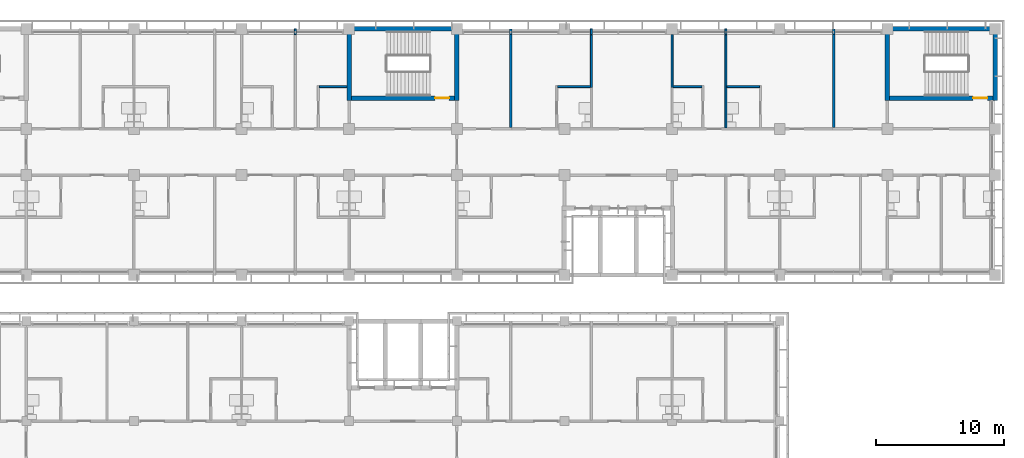
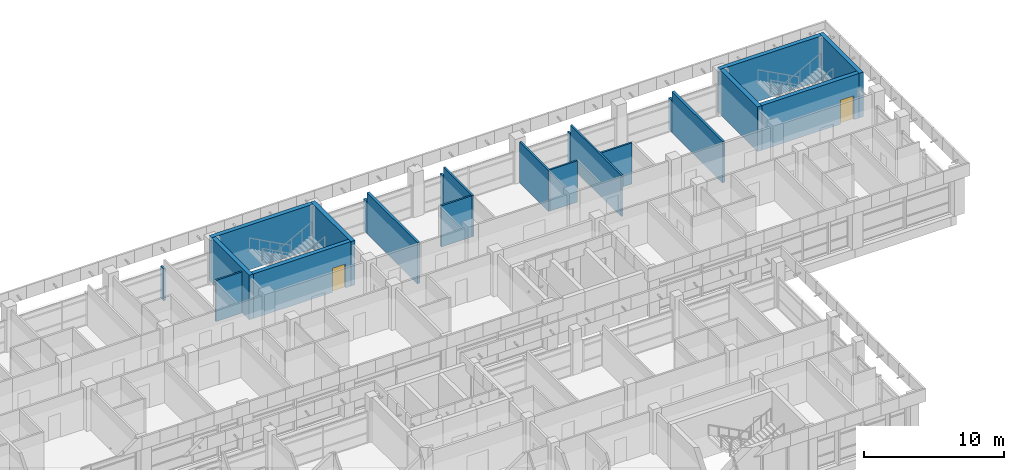
# One storey, part 44 of 74: 22 walls, 2 doors, 2 openings.
"""IFC4 building model written with IfcOpenShell, lengths in metres."""

from ifc_helpers import new_model, si_unit, direction, frame, frame_2d, origin, place, context, subcontext, project, spatial, rectangle, extrude, material, layer, layer_set, type_object, element, fill, save


model = new_model("IFC4")

# Units and contexts
model_context = context("Model", 3, precision=1e-05, world=origin(), true_north=direction((0.0, 1.0)))
body_context = subcontext(model_context, "Body", "Model", "MODEL_VIEW")
ifc_project = project(units=[si_unit("LENGTHUNIT", "METRE"), si_unit("AREAUNIT", "SQUARE_METRE"), si_unit("VOLUMEUNIT", "CUBIC_METRE"), si_unit("PLANEANGLEUNIT", "RADIAN"), si_unit("MASSUNIT", "GRAM", prefix="KILO")], contexts=[model_context])

# Site, building, storey
site_placement = place(None, origin())
site = spatial("IfcSite", under=ifc_project, at=site_placement, CompositionType="ELEMENT")
building_placement = place(site_placement, origin())
building = spatial("IfcBuilding", under=site, at=building_placement, Name="Bougainvillea Quay General Hospital", CompositionType="ELEMENT")
storey_placement = place(building_placement, frame((0.0, 0.0, 21.0)))
storey = spatial("IfcBuildingStorey", under=building, at=storey_placement, Name="L04", CompositionType="ELEMENT", Elevation=21.0)

# Walls
ifc_material_1 = material(Name="Gypsum board partition on steel studs, insulated", Category="steel")
ifc_layer_1 = layer(ifc_material_1, 0.14990234375)
ifc_layer_set_1 = layer_set([ifc_layer_1], Name="Gypsum board partition on steel studs, insulated")
wall_type_1 = type_object("IfcWallType", Name="Partition 150 Gypsum board partition", PredefinedType="PARTITIONING", material=ifc_layer_set_1)
wall_1_placement = place(storey_placement, frame((130.199951171875, 159.14990234375, 0.0), z_axis=(0.0, 0.0, 1.0), x_axis=(0.0, 1.0, 0.0)))
element("IfcWall", 1, at=wall_1_placement, inside=storey, type_object=wall_type_1, Name="Partition 150 mm", PredefinedType="PARTITIONING", context=body_context, shape_type="SweptSolid", body=[
    extrude(rectangle(XDim=0.4501953125, YDim=0.14990234375, at=frame_2d((0.22509765625, 0.0))), origin(), (0.0, 0.0, 1.0), 2.780029296875),
])
wall_2_placement = place(storey_placement, frame((163.800048828125, 151.875, 0.0), z_axis=(0.0, 0.0, 1.0), x_axis=(0.0, 1.0, 0.0)))
element("IfcWall", 2, at=wall_2_placement, inside=storey, type_object=wall_type_1, Name="Partition 150 mm", PredefinedType="PARTITIONING", context=body_context, shape_type="SweptSolid", body=[
    extrude(rectangle(XDim=7.27490234375, YDim=0.14990234375, at=frame_2d((3.637451171875, 0.0))), origin(), (0.0, 0.0, 1.0), 3.60009765625),
])
wall_3_placement = place(storey_placement, frame((163.800048828125, 159.14990234375, 0.0), z_axis=(0.0, 0.0, 1.0), x_axis=(0.0, 1.0, 0.0)))
element("IfcWall", 3, at=wall_3_placement, inside=storey, type_object=wall_type_1, Name="Partition 150 mm", PredefinedType="PARTITIONING", context=body_context, shape_type="SweptSolid", body=[
    extrude(rectangle(XDim=0.4501953125, YDim=0.14990234375, at=frame_2d((0.22509765625, 0.0))), origin(), (0.0, 0.0, 1.0), 2.780029296875),
])
wall_4_placement = place(storey_placement, frame((153.300048828125, 155.02490234375, 0.0), z_axis=(0.0, 0.0, 1.0), x_axis=(0.0, 1.0, 0.0)))
element("IfcWall", 4, at=wall_4_placement, inside=storey, type_object=wall_type_1, Name="Partition 150 mm", PredefinedType="PARTITIONING", context=body_context, shape_type="SweptSolid", body=[
    extrude(rectangle(XDim=4.125, YDim=0.14990234375, at=frame_2d((2.0625, 0.0))), origin(), (0.0, 0.0, 1.0), 3.60009765625),
])
wall_5_placement = place(storey_placement, frame((153.300048828125, 159.14990234375, 0.0), z_axis=(0.0, 0.0, 1.0), x_axis=(0.0, 1.0, 0.0)))
element("IfcWall", 5, at=wall_5_placement, inside=storey, type_object=wall_type_1, Name="Partition 150 mm", PredefinedType="PARTITIONING", context=body_context, shape_type="SweptSolid", body=[
    extrude(rectangle(XDim=0.4501953125, YDim=0.14990234375, at=frame_2d((0.22509765625, 0.0))), origin(), (0.0, 0.0, 1.0), 2.780029296875),
])
wall_6_placement = place(storey_placement, frame((159.60009765625, 155.02490234375, 0.0), z_axis=(0.0, 0.0, 1.0), x_axis=(0.0, 1.0, 0.0)))
element("IfcWall", 6, at=wall_6_placement, inside=storey, type_object=wall_type_1, Name="Partition 150 mm", PredefinedType="PARTITIONING", context=body_context, shape_type="SweptSolid", body=[
    extrude(rectangle(XDim=4.125, YDim=0.14990234375, at=frame_2d((2.0625, 0.0))), origin(), (0.0, 0.0, 1.0), 3.60009765625),
])
for number, where, z_axis, x_axis, name in (
    (7, (150.675048828125, 155.10009765625, 0.0), (0.0, 0.0, 1.0), (1.0, 0.0, 0.0), "Partition 150 mm"),
    (8, (163.875, 155.10009765625, 0.0), (0.0, 0.0, 1.0), (1.0, 0.0, 0.0), "Partition 150 mm"),
):
    element("IfcWall", number, at=place(storey_placement, frame(where, z_axis=z_axis, x_axis=x_axis)), inside=storey, type_object=wall_type_1, Name=name, PredefinedType="PARTITIONING", context=body_context, shape_type="SweptSolid", body=[
        extrude(rectangle(XDim=2.550048828125, YDim=0.14990234375, at=frame_2d((1.27490234375, 0.0))), origin(), (0.0, 0.0, 1.0), 3.60009765625),
    ])
wall_7_placement = place(storey_placement, frame((132.074951171875, 155.10009765625, 0.0), z_axis=(0.0, 0.0, 1.0), x_axis=(1.0, 0.0, 0.0)))
element("IfcWall", 9, at=wall_7_placement, inside=storey, type_object=wall_type_1, Name="Partition 150 mm", PredefinedType="PARTITIONING", context=body_context, shape_type="SweptSolid", body=[
    extrude(rectangle(XDim=2.150146484375, YDim=0.14990234375, at=frame_2d((1.0751953125, 0.0))), origin(), (0.0, 0.0, 1.0), 3.60009765625),
])
wall_8_placement = place(storey_placement, frame((159.675048828125, 155.10009765625, 0.0), z_axis=(0.0, 0.0, 1.0), x_axis=(1.0, 0.0, 0.0)))
element("IfcWall", 10, at=wall_8_placement, inside=storey, type_object=wall_type_1, Name="Partition 150 mm", PredefinedType="PARTITIONING", context=body_context, shape_type="SweptSolid", body=[
    extrude(rectangle(XDim=2.25, YDim=0.14990234375, at=frame_2d((1.125, 0.0))), origin(), (0.0, 0.0, 1.0), 3.60009765625),
])
ifc_material_2 = material(Name="Fire-rated autoclaved aerated block wall, plastered")
ifc_layer_2 = layer(ifc_material_2, 0.199951171875)
ifc_layer_set_2 = layer_set([ifc_layer_2], Name="Fire-rated autoclaved aerated block wall, plastered")
wall_type_2 = type_object("IfcWallType", Name="Partition 200 Fire-rated autoclaved aerated block wall EI 120", PredefinedType="SOLIDWALL", material=ifc_layer_set_2)
wall_9_placement = place(storey_placement, frame((147.0, 151.89990234375, 0.0), z_axis=(0.0, 0.0, 1.0), x_axis=(0.0, 1.0, 0.0)))
element("IfcWall", 11, at=wall_9_placement, inside=storey, type_object=wall_type_2, Name="Partition 200 mm EI 120", PredefinedType="SOLIDWALL", context=body_context, shape_type="SweptSolid", body=[
    extrude(rectangle(XDim=7.25, YDim=0.199951171875, at=frame_2d((3.625, 0.0))), origin(), (0.0, 0.0, 1.0), 3.60009765625),
])
wall_10_placement = place(storey_placement, frame((147.0, 159.14990234375, 0.0), z_axis=(0.0, 0.0, 1.0), x_axis=(0.0, 1.0, 0.0)))
element("IfcWall", 12, at=wall_10_placement, inside=storey, type_object=wall_type_2, Name="Partition 200 mm EI 120", PredefinedType="SOLIDWALL", context=body_context, shape_type="SweptSolid", body=[
    extrude(rectangle(XDim=0.4501953125, YDim=0.199951171875, at=frame_2d((0.22509765625, 0.0))), origin(), (0.0, 0.0, 1.0), 2.780029296875),
])
wall_11_placement = place(storey_placement, frame((172.199951171875, 151.89990234375, 0.0), z_axis=(0.0, 0.0, 1.0), x_axis=(0.0, 1.0, 0.0)))
element("IfcWall", 13, at=wall_11_placement, inside=storey, type_object=wall_type_2, Name="Partition 200 mm EI 120", PredefinedType="SOLIDWALL", context=body_context, shape_type="SweptSolid", body=[
    extrude(rectangle(XDim=7.25, YDim=0.199951171875, at=frame_2d((3.625, 0.0))), origin(), (0.0, 0.0, 1.0), 3.60009765625),
])
wall_12_placement = place(storey_placement, frame((172.199951171875, 159.14990234375, 0.0), z_axis=(0.0, 0.0, 1.0), x_axis=(0.0, 1.0, 0.0)))
element("IfcWall", 14, at=wall_12_placement, inside=storey, type_object=wall_type_2, Name="Partition 200 mm EI 120", PredefinedType="SOLIDWALL", context=body_context, shape_type="SweptSolid", body=[
    extrude(rectangle(XDim=0.4501953125, YDim=0.199951171875, at=frame_2d((0.22509765625, 0.0))), origin(), (0.0, 0.0, 1.0), 2.780029296875),
])
ifc_material_3 = material(Name="Concrete C40", Category="concrete")
ifc_layer_3 = layer(ifc_material_3, 0.35009765625)
ifc_layer_set_3 = layer_set([ifc_layer_3], Name="Concrete C40")
wall_type_3 = type_object("IfcWallType", Name="RC SHEAR WALL 350 C40", PredefinedType="SHEAR", material=ifc_layer_set_3)
wall_13_placement = place(storey_placement, frame((134.22509765625, 159.60009765625, 0.0), z_axis=(0.0, 0.0, 1.0), x_axis=(1.0, 0.0, 0.0)))
element("IfcWall", 15, at=wall_13_placement, inside=storey, type_object=wall_type_3, Name="Shear wall L04", PredefinedType="SHEAR", context=body_context, shape_type="SweptSolid", body=[
    extrude(rectangle(XDim=8.39990234375, YDim=0.35009765625, at=frame_2d((4.199951171875, 0.0))), origin(), (0.0, 0.0, 1.0), 3.89990234375),
])
wall_14_placement = place(storey_placement, frame((134.39990234375, 154.02490234375, 0.0), z_axis=(0.0, 0.0, 1.0), x_axis=(0.0, 1.0, 0.0)))
element("IfcWall", 16, at=wall_14_placement, inside=storey, type_object=wall_type_3, Name="Shear wall L04", PredefinedType="SHEAR", context=body_context, shape_type="SweptSolid", body=[
    extrude(rectangle(XDim=5.400146484375, YDim=0.35009765625, at=frame_2d((2.7001953125, 0.0))), origin(), (0.0, 0.0, 1.0), 3.89990234375),
])

# Wall, opening, door
wall_15_placement = place(storey_placement, frame((134.574951171875, 154.199951171875, 0.0), z_axis=(0.0, 0.0, 1.0), x_axis=(1.0, 0.0, 0.0)))
wall_15 = element("IfcWall", 17, at=wall_15_placement, inside=storey, type_object=wall_type_3, Name="Shear wall L04", PredefinedType="SHEAR", context=body_context, shape_type="SweptSolid", body=[
    extrude(rectangle(XDim=8.050048828125, YDim=0.35009765625, at=frame_2d((4.02490234375, 0.0))), origin(), (0.0, 0.0, 1.0), 3.89990234375),
])
opening_1_placement = place(wall_15_placement, frame((6.52490234375, 0.0, 0.0)))
opening_1 = element("IfcOpeningElement", 18, at=opening_1_placement, cuts=wall_15, Name="Opening L04.145", PredefinedType="OPENING", context=body_context, shape_type="SweptSolid", body=[
    extrude(rectangle(XDim=1.10009765625, YDim=2.10009765625, at=frame_2d((0.550048828125, 1.050048828125))), frame((0.0, 0.18505859375, 0.0), z_axis=(0.0, -1.0, 0.0), x_axis=(1.0, 0.0, 0.0)), (0.0, 0.0, 1.0), 0.3701171875),
])
ifc_material_4 = material(Name="Steel fire door leaf in steel frame", Category="steel")
door_type = type_object("IfcDoorType", Name="Steel single leaf door 1100x2100 FD60", OperationType="NOTDEFINED", PredefinedType="DOOR", material=ifc_material_4)
door_1_placement = place(opening_1_placement, origin())
door_1 = element("IfcDoor", 19, at=door_1_placement, inside=storey, type_object=door_type, Name="DT04 L04.145", OperationType="SINGLE_SWING_RIGHT", OverallHeight=2.10009765625, OverallWidth=1.10009765625, PredefinedType="DOOR", context=body_context, shape_type="SweptSolid", body=[
    extrude(rectangle(XDim=1.10009765625, YDim=2.10009765625, at=frame_2d((0.550048828125, 1.050048828125))), frame((0.0, 0.02490234375, 0.0), z_axis=(0.0, -1.0, 0.0), x_axis=(1.0, 0.0, 0.0)), (0.0, 0.0, 1.0), 0.050048828125),
])
fill(opening_1, door_1)

# Walls
wall_16_placement = place(storey_placement, frame((142.800048828125, 154.02490234375, 0.0), z_axis=(0.0, 0.0, 1.0), x_axis=(0.0, 1.0, 0.0)))
element("IfcWall", 20, at=wall_16_placement, inside=storey, type_object=wall_type_3, Name="Shear wall L04", PredefinedType="SHEAR", context=body_context, shape_type="SweptSolid", body=[
    extrude(rectangle(XDim=5.75, YDim=0.35009765625, at=frame_2d((2.875, 0.0))), origin(), (0.0, 0.0, 1.0), 3.89990234375),
])
wall_17_placement = place(storey_placement, frame((176.22509765625, 159.60009765625, 0.0), z_axis=(0.0, 0.0, 1.0), x_axis=(1.0, 0.0, 0.0)))
element("IfcWall", 21, at=wall_17_placement, inside=storey, type_object=wall_type_3, Name="Shear wall L04", PredefinedType="SHEAR", context=body_context, shape_type="SweptSolid", body=[
    extrude(rectangle(XDim=8.39990234375, YDim=0.35009765625, at=frame_2d((4.199951171875, 0.0))), origin(), (0.0, 0.0, 1.0), 3.89990234375),
])
wall_18_placement = place(storey_placement, frame((176.39990234375, 154.02490234375, 0.0), z_axis=(0.0, 0.0, 1.0), x_axis=(0.0, 1.0, 0.0)))
element("IfcWall", 22, at=wall_18_placement, inside=storey, type_object=wall_type_3, Name="Shear wall L04", PredefinedType="SHEAR", context=body_context, shape_type="SweptSolid", body=[
    extrude(rectangle(XDim=5.400146484375, YDim=0.35009765625, at=frame_2d((2.7001953125, 0.0))), origin(), (0.0, 0.0, 1.0), 3.89990234375),
])

# Wall, opening, door
wall_19_placement = place(storey_placement, frame((176.574951171875, 154.199951171875, 0.0), z_axis=(0.0, 0.0, 1.0), x_axis=(1.0, 0.0, 0.0)))
wall_19 = element("IfcWall", 23, at=wall_19_placement, inside=storey, type_object=wall_type_3, Name="Shear wall L04", PredefinedType="SHEAR", context=body_context, shape_type="SweptSolid", body=[
    extrude(rectangle(XDim=8.050048828125, YDim=0.35009765625, at=frame_2d((4.02490234375, 0.0))), origin(), (0.0, 0.0, 1.0), 3.89990234375),
])
opening_2_placement = place(wall_19_placement, frame((6.52490234375, 0.0, 0.0)))
opening_2 = element("IfcOpeningElement", 24, at=opening_2_placement, cuts=wall_19, Name="Opening L04.147", PredefinedType="OPENING", context=body_context, shape_type="SweptSolid", body=[
    extrude(rectangle(XDim=1.10009765625, YDim=2.10009765625, at=frame_2d((0.550048828125, 1.050048828125))), frame((0.0, 0.18505859375, 0.0), z_axis=(0.0, -1.0, 0.0), x_axis=(1.0, 0.0, 0.0)), (0.0, 0.0, 1.0), 0.3701171875),
])
door_2_placement = place(opening_2_placement, origin())
door_2 = element("IfcDoor", 25, at=door_2_placement, inside=storey, type_object=door_type, Name="DT04 L04.147", OperationType="SINGLE_SWING_RIGHT", OverallHeight=2.10009765625, OverallWidth=1.10009765625, PredefinedType="DOOR", context=body_context, shape_type="SweptSolid", body=[
    extrude(rectangle(XDim=1.10009765625, YDim=2.10009765625, at=frame_2d((0.550048828125, 1.050048828125))), frame((0.0, 0.02490234375, 0.0), z_axis=(0.0, -1.0, 0.0), x_axis=(1.0, 0.0, 0.0)), (0.0, 0.0, 1.0), 0.050048828125),
])
fill(opening_2, door_2)

# Wall
wall_20_placement = place(storey_placement, frame((184.800048828125, 154.02490234375, 0.0), z_axis=(0.0, 0.0, 1.0), x_axis=(0.0, 1.0, 0.0)))
element("IfcWall", 26, at=wall_20_placement, inside=storey, type_object=wall_type_3, Name="Shear wall L04", PredefinedType="SHEAR", context=body_context, shape_type="SweptSolid", body=[
    extrude(rectangle(XDim=5.75, YDim=0.35009765625, at=frame_2d((2.875, 0.0))), origin(), (0.0, 0.0, 1.0), 3.89990234375),
])

save(model, "model.ifc")
